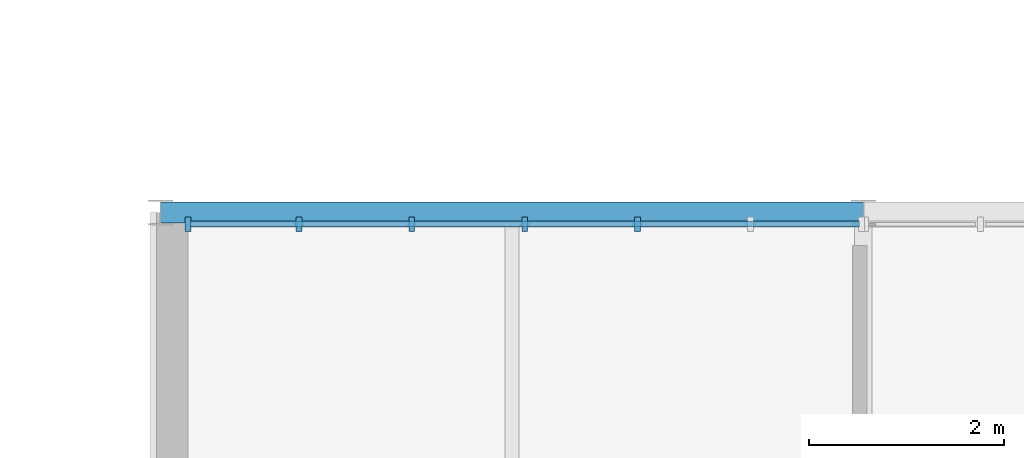
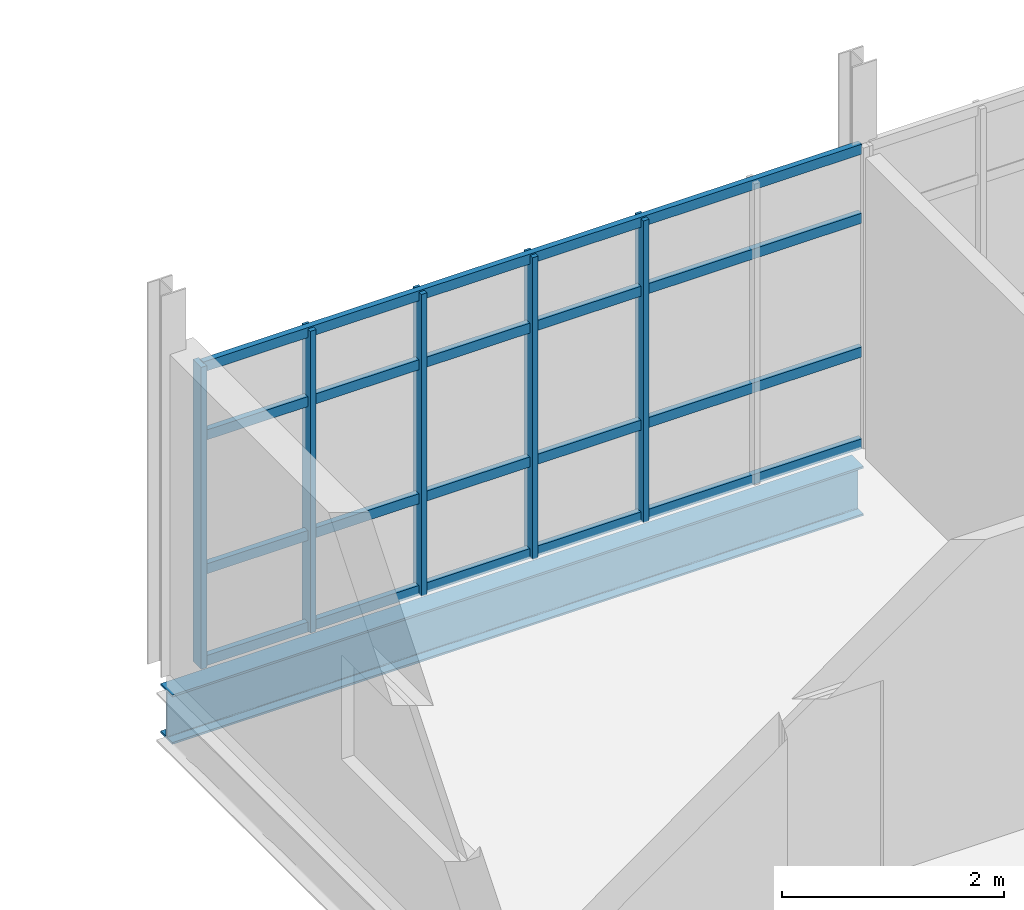
# One storey, part 28 of 119: 9 members, 1 beam, 1 element without a shape of its own.
"""IFC4 building model written with IfcOpenShell, lengths in metres."""

from ifc_helpers import new_model, si_unit, direction, frame, origin, origin_2d, place, context, subcontext, project, spatial, rectangle, i_section, extrude, material, material_profile, profile_set, type_object, element, aggregate, save


model = new_model("IFC4")

# Units and contexts
model_context = context("Model", 3, precision=1e-05, world=origin(), true_north=direction((0.0, 1.0)))
body_context = subcontext(model_context, "Body", "Model", "MODEL_VIEW")
ifc_project = project(units=[si_unit("LENGTHUNIT", "METRE"), si_unit("AREAUNIT", "SQUARE_METRE"), si_unit("VOLUMEUNIT", "CUBIC_METRE"), si_unit("PLANEANGLEUNIT", "RADIAN"), si_unit("MASSUNIT", "GRAM", prefix="KILO")], contexts=[model_context])

# Site, building, storey
site_placement = place(None, origin())
site = spatial("IfcSite", under=ifc_project, at=site_placement, CompositionType="ELEMENT")
building_placement = place(site_placement, origin())
building = spatial("IfcBuilding", under=site, at=building_placement, Name="Qelthora Terrace Specialist Clinic", CompositionType="ELEMENT")
storey_placement = place(building_placement, frame((0.0, 0.0, 4.800048828125)))
storey = spatial("IfcBuildingStorey", under=building, at=storey_placement, Name="L01", CompositionType="ELEMENT", Elevation=4.800048828125)

# Beam
ifc_material_1 = material(Name="Steel S355", Category="steel")
ifc_material_profile_1 = material_profile(ifc_material_1, i_section(OverallWidth=0.2119140625, OverallDepth=0.5439453125, WebThickness=0.01318359375, FlangeThickness=0.021240234375, FilletRadius=0.013916015625, at=origin_2d()), Name="W530X123")
ifc_profile_set_1 = profile_set([ifc_material_profile_1], Name="Steel S355")
beam_type = type_object("IfcBeamType", Name="BM-W530X123", PredefinedType="BEAM", material=ifc_profile_set_1)
beam_placement = place(storey_placement, frame((57.60009765625, 33.60009765625, -0.52197265625), z_axis=(1.0, 0.0, 0.0), x_axis=(0.0, 1.0, 0.0)))
element("IfcBeam", 1, at=beam_placement, inside=storey, type_object=beam_type, Name="Girder BMX-L01-0201", PredefinedType="BEAM", context=body_context, shape_type="SweptSolid", body=[
    extrude(i_section(OverallWidth=0.2119140625, OverallDepth=0.5439453125, WebThickness=0.01318359375, FlangeThickness=0.021240234375, FilletRadius=0.013916015625, at=origin_2d()), origin(), (0.0, 0.0, 1.0), 7.199951171875),
])

# Curtain wall, members
ifc_material_2 = material(Name="Aluminium anodized bronze", Category="aluminium")
curtain_wall_type = type_object("IfcCurtainWallType", Name="CW-HALL-L01", PredefinedType="NOTDEFINED", material=ifc_material_2)
curtain_wall_placement = place(storey_placement, origin())
curtain_wall = element("IfcCurtainWall", 2, at=curtain_wall_placement, inside=storey, type_object=curtain_wall_type, Name="Curtain wall CW-L01-224", PredefinedType="NOTDEFINED")
ifc_material_profile_2 = material_profile(ifc_material_2, rectangle(XDim=0.06005859375, YDim=0.14990234375, at=origin_2d()), Name="CWM60X150")
ifc_profile_set_2 = profile_set([ifc_material_profile_2], Name="Aluminium anodized bronze")
member_type_1 = type_object("IfcMemberType", Name="CWM-60X150", PredefinedType="MULLION", material=ifc_profile_set_2)
member_1_placement = place(storey_placement, frame((57.8798828125, 33.47998046875, 0.0), z_axis=(0.0, 0.0, 1.0), x_axis=(1.0, 0.0, 0.0)))
member_1 = element("IfcMember", 3, at=member_1_placement, type_object=member_type_1, Name="CW-L01-224 mullion 1", PredefinedType="MULLION", context=body_context, shape_type="SweptSolid", body=[
    extrude(rectangle(XDim=0.06005859375, YDim=0.14990234375, at=origin_2d()), origin(), (0.0, 0.0, 1.0), 3.324951171875),
])
member_2_placement = place(storey_placement, frame((59.0166015625, 33.47998046875, 0.0), z_axis=(0.0, 0.0, 1.0), x_axis=(1.0, 0.0, 0.0)))
member_2 = element("IfcMember", 4, at=member_2_placement, type_object=member_type_1, Name="CW-L01-224 mullion 2", PredefinedType="MULLION", context=body_context, shape_type="SweptSolid", body=[
    extrude(rectangle(XDim=0.06005859375, YDim=0.14990234375, at=origin_2d()), origin(), (0.0, 0.0, 1.0), 3.324951171875),
])
member_3_placement = place(storey_placement, frame((60.17333984375, 33.47998046875, 0.0), z_axis=(0.0, 0.0, 1.0), x_axis=(1.0, 0.0, 0.0)))
member_3 = element("IfcMember", 5, at=member_3_placement, type_object=member_type_1, Name="CW-L01-224 mullion 3", PredefinedType="MULLION", context=body_context, shape_type="SweptSolid", body=[
    extrude(rectangle(XDim=0.06005859375, YDim=0.14990234375, at=origin_2d()), origin(), (0.0, 0.0, 1.0), 3.324951171875),
])
member_4_placement = place(storey_placement, frame((61.330078125, 33.47998046875, 0.0), z_axis=(0.0, 0.0, 1.0), x_axis=(1.0, 0.0, 0.0)))
member_4 = element("IfcMember", 6, at=member_4_placement, type_object=member_type_1, Name="CW-L01-224 mullion 4", PredefinedType="MULLION", context=body_context, shape_type="SweptSolid", body=[
    extrude(rectangle(XDim=0.06005859375, YDim=0.14990234375, at=origin_2d()), origin(), (0.0, 0.0, 1.0), 3.324951171875),
])
member_5_placement = place(storey_placement, frame((62.486572265625, 33.47998046875, 0.0), z_axis=(0.0, 0.0, 1.0), x_axis=(1.0, 0.0, 0.0)))
member_5 = element("IfcMember", 7, at=member_5_placement, type_object=member_type_1, Name="CW-L01-224 mullion 5", PredefinedType="MULLION", context=body_context, shape_type="SweptSolid", body=[
    extrude(rectangle(XDim=0.06005859375, YDim=0.14990234375, at=origin_2d()), origin(), (0.0, 0.0, 1.0), 3.324951171875),
])
ifc_material_profile_3 = material_profile(ifc_material_2, rectangle(XDim=0.06005859375, YDim=0.110107421875, at=origin_2d()), Name="CWT60X110")
ifc_profile_set_3 = profile_set([ifc_material_profile_3], Name="Aluminium anodized bronze")
member_type_2 = type_object("IfcMemberType", Name="CWT-60X110", PredefinedType="USERDEFINED", material=ifc_profile_set_3)
member_6_placement = place(storey_placement, frame((57.89990234375, 33.47998046875, 0.0400390625), z_axis=(1.0, 0.0, 0.0), x_axis=(0.0, 1.0, 0.0)))
member_6 = element("IfcMember", 8, at=member_6_placement, type_object=member_type_2, Name="CW-L01-224 transom 1", ObjectType="TRANSOM", PredefinedType="USERDEFINED", context=body_context, shape_type="SweptSolid", body=[
    extrude(rectangle(XDim=0.06005859375, YDim=0.110107421875, at=origin_2d()), origin(), (0.0, 0.0, 1.0), 6.860107421875),
])
member_7_placement = place(storey_placement, frame((57.89990234375, 33.47998046875, 1.050048828125), z_axis=(1.0, 0.0, 0.0), x_axis=(0.0, 1.0, 0.0)))
member_7 = element("IfcMember", 9, at=member_7_placement, type_object=member_type_2, Name="CW-L01-224 transom 2", ObjectType="TRANSOM", PredefinedType="USERDEFINED", context=body_context, shape_type="SweptSolid", body=[
    extrude(rectangle(XDim=0.06005859375, YDim=0.110107421875, at=origin_2d()), origin(), (0.0, 0.0, 1.0), 6.860107421875),
])
member_8_placement = place(storey_placement, frame((57.89990234375, 33.47998046875, 2.52490234375), z_axis=(1.0, 0.0, 0.0), x_axis=(0.0, 1.0, 0.0)))
member_8 = element("IfcMember", 10, at=member_8_placement, type_object=member_type_2, Name="CW-L01-224 transom 3", ObjectType="TRANSOM", PredefinedType="USERDEFINED", context=body_context, shape_type="SweptSolid", body=[
    extrude(rectangle(XDim=0.06005859375, YDim=0.110107421875, at=origin_2d()), origin(), (0.0, 0.0, 1.0), 6.860107421875),
])
member_9_placement = place(storey_placement, frame((57.89990234375, 33.47998046875, 3.284912109375), z_axis=(1.0, 0.0, 0.0), x_axis=(0.0, 1.0, 0.0)))
member_9 = element("IfcMember", 11, at=member_9_placement, type_object=member_type_2, Name="CW-L01-224 transom 4", ObjectType="TRANSOM", PredefinedType="USERDEFINED", context=body_context, shape_type="SweptSolid", body=[
    extrude(rectangle(XDim=0.06005859375, YDim=0.110107421875, at=origin_2d()), origin(), (0.0, 0.0, 1.0), 6.860107421875),
])
aggregate(curtain_wall, [member_1, member_2, member_3, member_4, member_5, member_6, member_7, member_8, member_9])

save(model, "model.ifc")
